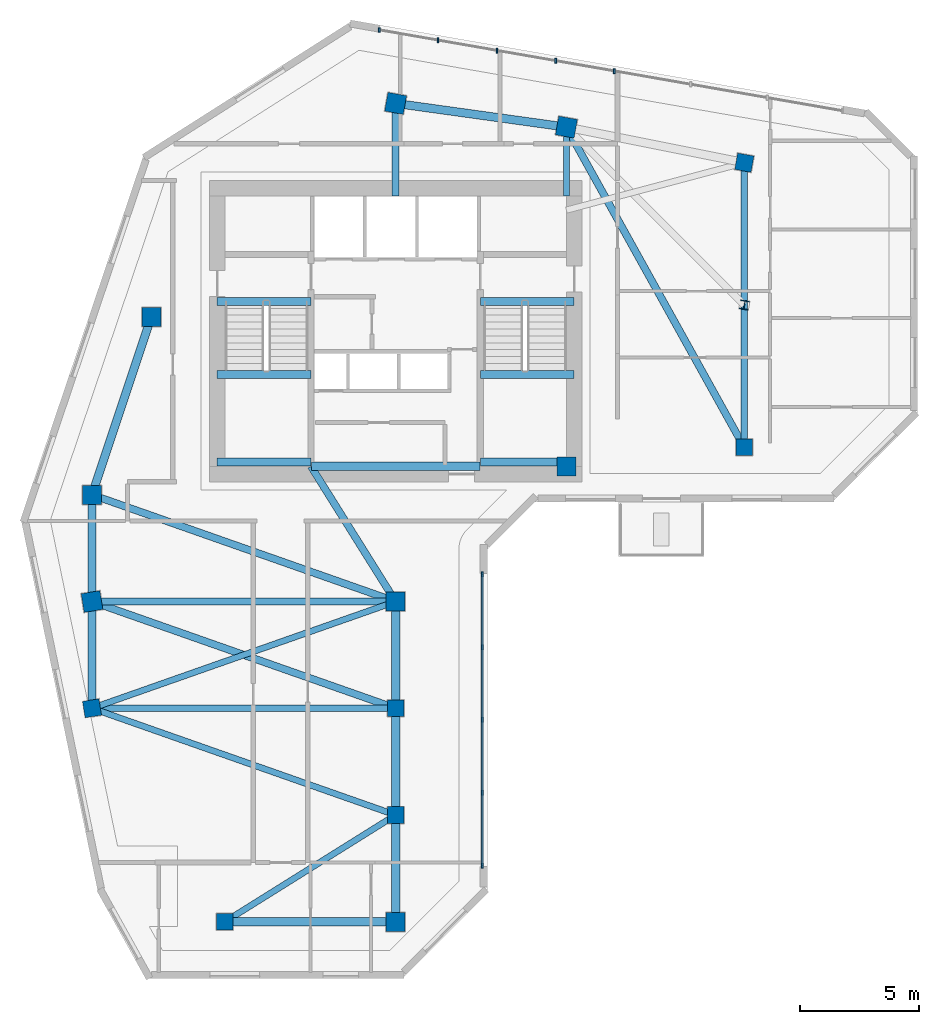
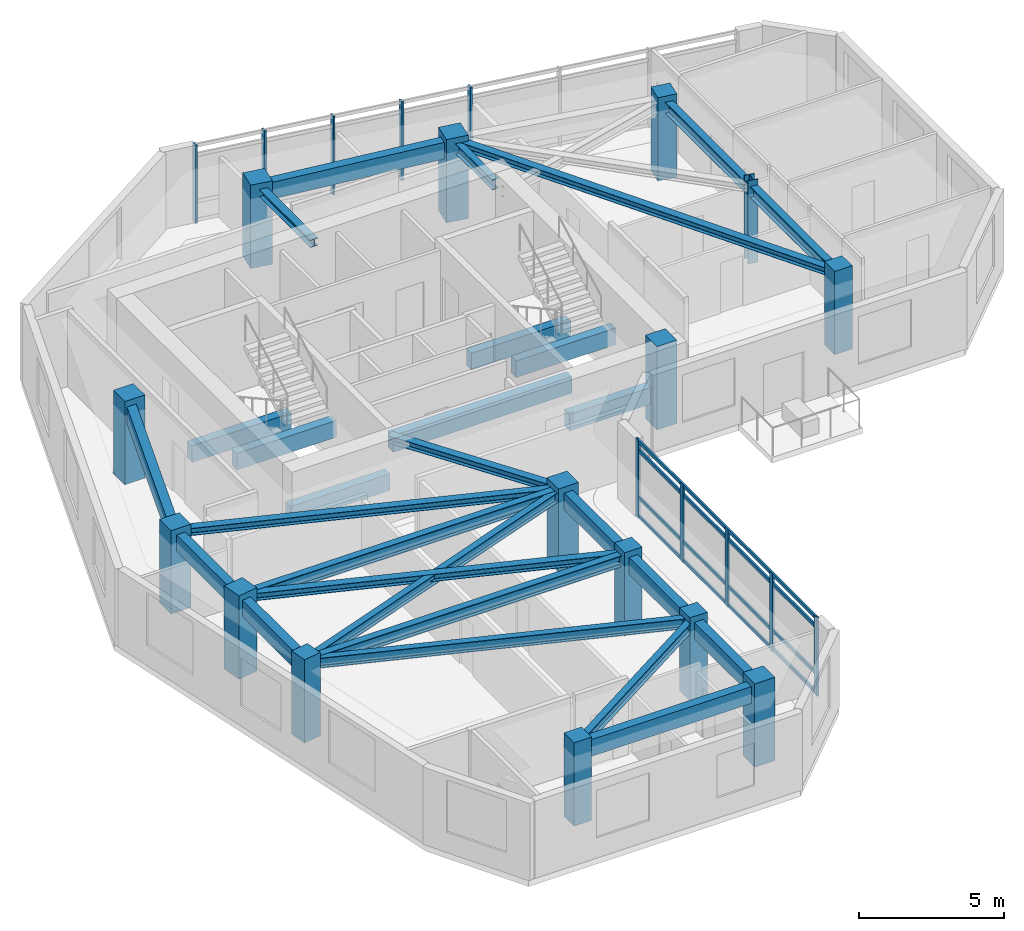
# One storey, part 1 of 9: 27 beams, 15 columns, 14 members, 2 elements without a shape of their own.
"""IFC4 building model written with IfcOpenShell, lengths in metres."""

from ifc_helpers import new_model, si_unit, direction, frame, origin, origin_2d, place, context, subcontext, project, spatial, rectangle, i_section, extrude, source, transform, mapped, material, material_profile, profile_set, type_object, element, aggregate, save


model = new_model("IFC4")

# Units and contexts
model_context = context("Model", 3, precision=1e-05, world=origin(), true_north=direction((0.0, 1.0)))
body_context = subcontext(model_context, "Body", "Model", "MODEL_VIEW")
ifc_project = project(units=[si_unit("LENGTHUNIT", "METRE"), si_unit("AREAUNIT", "SQUARE_METRE"), si_unit("VOLUMEUNIT", "CUBIC_METRE"), si_unit("PLANEANGLEUNIT", "RADIAN"), si_unit("MASSUNIT", "GRAM", prefix="KILO")], contexts=[model_context])

# Site, building, storey
site_placement = place(None, origin())
site = spatial("IfcSite", under=ifc_project, at=site_placement, CompositionType="ELEMENT")
building_placement = place(site_placement, origin())
building = spatial("IfcBuilding", under=site, at=building_placement, Name="Calvemar Wedge Station Tower", CompositionType="ELEMENT")
storey_placement = place(building_placement, frame((0.0, 0.0, 232.39990234375)))
storey = spatial("IfcBuildingStorey", under=building, at=storey_placement, Name="L59", CompositionType="ELEMENT", Elevation=232.39990234375)

# Columns
ifc_material_1 = material(Name="Concrete C50", Category="concrete")
ifc_material_profile_1 = material_profile(ifc_material_1, rectangle(XDim=0.800048828125, YDim=0.800048828125, at=origin_2d()), Name="RC800x800")
ifc_profile_set_1 = profile_set([ifc_material_profile_1], Name="Concrete C50")
column_type_1 = type_object("IfcColumnType", Name="COL-C6-800", PredefinedType="COLUMN", material=ifc_profile_set_1)
shared_shape_1 = source(origin(), body_context, "Body", "SweptSolid", [
    extrude(rectangle(XDim=0.800048828125, YDim=0.800048828125, at=origin_2d()), origin(), (0.0, 0.0, 1.0), 3.5),
])
for number, where, z_axis, x_axis, name in (
    (1, (11.0, 33.0, 0.0), (0.0, 0.0, 1.0), (1.0, 0.0, 0.0), "Storey L59 Column T-NW1"),
    (2, (13.5, 40.5, 0.0), (0.0, 0.0, 1.0), (1.0, 0.0, 0.0), "Storey L59 Column T-NW2"),
    (3, (23.800048828125, 49.5, 0.0), (0.0, 0.0, 1.0), (0.984195607969, -0.17708474032, 0.0), "Storey L59 Column T-N1"),
    (4, (31.0, 48.5, 0.0), (0.0, 0.0, 1.0), (0.984195607969, -0.17708474032, 0.0), "Storey L59 Column T-N2"),
    (5, (31.0, 34.199951171875, 0.0), (0.0, 0.0, 1.0), (1.0, 0.0, 0.0), "Storey L59 Column T-NL1"),
    (6, (11.0, 28.5, 0.0), (0.0, 0.0, 1.0), (0.158158067254, -0.987413806751, 0.0), "Storey L59 Column T-SW1"),
    (7, (23.800048828125, 28.5, 0.0), (0.0, 0.0, 1.0), (1.0, 0.0, 0.0), "Storey L59 Column T-SE1"),
    (8, (23.800048828125, 15.0, 0.0), (0.0, 0.0, 1.0), (1.0, 0.0, 0.0), "Storey L59 Column T-SE4"),
):
    element("IfcColumn", number, at=place(storey_placement, frame(where, z_axis=z_axis, x_axis=x_axis)), inside=storey, type_object=column_type_1, Name=name, PredefinedType="COLUMN", context=body_context, shape_type="MappedRepresentation", body=[
        mapped(shared_shape_1, transform((0.0, 0.0, 0.0), scale=1.0)),
    ])
ifc_material_profile_2 = material_profile(ifc_material_1, rectangle(XDim=0.699951171875, YDim=0.699951171875, at=origin_2d()), Name="RC700x700")
ifc_profile_set_2 = profile_set([ifc_material_profile_2], Name="Concrete C50")
column_type_2 = type_object("IfcColumnType", Name="COL-C7-700", PredefinedType="COLUMN", material=ifc_profile_set_2)
shared_shape_2 = source(origin(), body_context, "Body", "SweptSolid", [
    extrude(rectangle(XDim=0.699951171875, YDim=0.699951171875, at=origin_2d()), origin(), (0.0, 0.0, 1.0), 3.5),
])
for number, where, z_axis, x_axis, name in (
    (9, (38.5, 47.0, 0.0), (0.0, 0.0, 1.0), (0.984195607969, -0.17708474032, 0.0), "Storey L59 Column T-NU3"),
    (10, (38.5, 35.0, 0.0), (0.0, 0.0, 1.0), (1.0, 0.0, 0.0), "Storey L59 Column T-NL2"),
    (11, (11.0, 24.0, 0.0), (0.0, 0.0, 1.0), (0.158158067254, -0.987413806751, 0.0), "Storey L59 Column T-SW2"),
    (12, (23.800048828125, 24.0, 0.0), (0.0, 0.0, 1.0), (1.0, 0.0, 0.0), "Storey L59 Column T-SE2"),
    (13, (23.800048828125, 19.5, 0.0), (0.0, 0.0, 1.0), (1.0, 0.0, 0.0), "Storey L59 Column T-SE3"),
    (14, (16.60009765625, 15.0, 0.0), (0.0, 0.0, 1.0), (1.0, 0.0, 0.0), "Storey L59 Column T-SM1"),
):
    element("IfcColumn", number, at=place(storey_placement, frame(where, z_axis=z_axis, x_axis=x_axis)), inside=storey, type_object=column_type_2, Name=name, PredefinedType="COLUMN", context=body_context, shape_type="MappedRepresentation", body=[
        mapped(shared_shape_2, transform((0.0, 0.0, 0.0), scale=1.0)),
    ])
ifc_material_2 = material(Name="Structural steel ASTM A572 Grade 50", Category="steel")
ifc_material_profile_3 = material_profile(ifc_material_2, i_section(OverallWidth=0.3740234375, OverallDepth=0.3720703125, WebThickness=0.016357421875, FlangeThickness=0.026123046875, FilletRadius=0.014892578125, at=origin_2d()), Name="W360x196")
ifc_profile_set_3 = profile_set([ifc_material_profile_3], Name="Structural steel ASTM A572 Grade 50")
column_type_3 = type_object("IfcColumnType", Name="COL-STL-W360", PredefinedType="COLUMN", material=ifc_profile_set_3)
shared_shape_3 = source(origin(), body_context, "Body", "SweptSolid", [
    extrude(i_section(OverallWidth=0.3740234375, OverallDepth=0.3720703125, WebThickness=0.016357421875, FlangeThickness=0.026123046875, FilletRadius=0.014892578125, at=origin_2d()), origin(), (0.0, 0.0, 1.0), 3.5),
])
column_placement = place(storey_placement, frame((38.5, 41.0, 0.0), z_axis=(0.0, 0.0, 1.0), x_axis=(0.984195607969, -0.17708474032, 0.0)))
element("IfcColumn", 15, at=column_placement, inside=storey, type_object=column_type_3, Name="Storey L59 Column T-NTIP-B", PredefinedType="COLUMN", context=body_context, shape_type="MappedRepresentation", body=[
    mapped(shared_shape_3, transform((0.0, 0.0, 0.0), scale=1.0)),
])

# Beams
ifc_material_3 = material(Name="Concrete C70", Category="concrete")
ifc_material_profile_4 = material_profile(ifc_material_3, rectangle(XDim=0.35009765625, YDim=0.699951171875, at=origin_2d()), Name="RC350x700")
ifc_profile_set_4 = profile_set([ifc_material_profile_4], Name="Concrete C70")
beam_type_1 = type_object("IfcBeamType", Name="BM-LN1-700", PredefinedType="LINTEL", material=ifc_profile_set_4)
shared_shape_4 = source(origin(), body_context, "Body", "SweptSolid", [
    extrude(rectangle(XDim=0.35009765625, YDim=0.699951171875, at=origin_2d()), origin(), (0.0, 0.0, 1.0), 7.10009765625),
])
beam_1_placement = place(storey_placement, frame((20.25, 34.199951171875, 2.900146484375), z_axis=(1.0, 0.0, 0.0), x_axis=(0.0, 1.0, 0.0)))
element("IfcBeam", 16, at=beam_1_placement, inside=storey, type_object=beam_type_1, Name="Storey L59 Core Coupling Lintel South", PredefinedType="LINTEL", context=body_context, shape_type="MappedRepresentation", body=[
    mapped(shared_shape_4, transform((0.0, 0.0, 0.0), scale=1.0)),
])
ifc_material_profile_5 = material_profile(ifc_material_2, i_section(OverallWidth=0.304931640625, OverallDepth=0.30810546875, WebThickness=0.010009765625, FlangeThickness=0.015380859375, FilletRadius=0.014892578125, at=origin_2d()), Name="W310x97")
ifc_profile_set_5 = profile_set([ifc_material_profile_5], Name="Structural steel ASTM A572 Grade 50")
beam_type_2 = type_object("IfcBeamType", Name="BM-J6-W310", PredefinedType="JOIST", material=ifc_profile_set_5)
shared_shape_5 = source(origin(), body_context, "Body", "SweptSolid", [
    extrude(i_section(OverallWidth=0.304931640625, OverallDepth=0.30810546875, WebThickness=0.010009765625, FlangeThickness=0.015380859375, FilletRadius=0.014892578125, at=origin_2d()), origin(), (0.0, 0.0, 1.0), 15.443359375),
])
beam_2_placement = place(storey_placement, frame((31.0, 48.5, 3.09619140625), z_axis=(0.485642931179, -0.874157276122, 0.0), x_axis=(0.874157276122, 0.485642931179, 0.0)))
element("IfcBeam", 17, at=beam_2_placement, inside=storey, type_object=beam_type_2, Name="Storey L59 Floor Beam T-N2-T-NL2", PredefinedType="JOIST", context=body_context, shape_type="MappedRepresentation", body=[
    mapped(shared_shape_5, transform((0.0, 0.0, 0.0), scale=1.0)),
])
shared_shape_6 = source(origin(), body_context, "Body", "SweptSolid", [
    extrude(i_section(OverallWidth=0.304931640625, OverallDepth=0.30810546875, WebThickness=0.010009765625, FlangeThickness=0.015380859375, FilletRadius=0.014892578125, at=origin_2d()), origin(), (0.0, 0.0, 1.0), 13.568115234375),
])
for number, where, z_axis, x_axis, name in (
    (18, (11.0, 33.0, 3.09619140625), (0.943398221169, -0.331662171939, 0.0), (0.331662171939, 0.943398221169, 0.0), "Storey L59 Floor Beam T-NW1-T-SE1"),
    (19, (11.0, 28.5, 3.09619140625), (0.943398221169, -0.331662171939, 0.0), (0.331662171939, 0.943398221169, 0.0), "Storey L59 Floor Beam T-SW1-T-SE2"),
):
    element("IfcBeam", number, at=place(storey_placement, frame(where, z_axis=z_axis, x_axis=x_axis)), inside=storey, type_object=beam_type_2, Name=name, PredefinedType="JOIST", context=body_context, shape_type="MappedRepresentation", body=[
        mapped(shared_shape_6, transform((0.0, 0.0, 0.0), scale=1.0)),
    ])
ifc_material_profile_6 = material_profile(ifc_material_2, i_section(OverallWidth=0.260986328125, OverallDepth=0.419921875, WebThickness=0.01171875, FlangeThickness=0.019287109375, FilletRadius=0.012939453125, at=origin_2d()), Name="W410x114")
ifc_profile_set_6 = profile_set([ifc_material_profile_6], Name="Structural steel ASTM A572 Grade 50")
beam_type_3 = type_object("IfcBeamType", Name="BM-J2-W410H", PredefinedType="JOIST", material=ifc_profile_set_6)
shared_shape_7 = source(origin(), body_context, "Body", "SweptSolid", [
    extrude(i_section(OverallWidth=0.260986328125, OverallDepth=0.419921875, WebThickness=0.01171875, FlangeThickness=0.019287109375, FilletRadius=0.012939453125, at=origin_2d()), origin(), (0.0, 0.0, 1.0), 13.568115234375),
])
for number, where, z_axis, x_axis, name in (
    (20, (23.800048828125, 28.5, 3.0400390625), (-0.943398221169, -0.331662171939, 0.0), (0.331662171939, -0.943398221169, 0.0), "Storey L59 Floor Beam T-SE1-T-SW2"),
    (21, (11.0, 24.0, 3.0400390625), (0.943398221169, -0.331662171939, 0.0), (0.331662171939, 0.943398221169, 0.0), "Storey L59 Floor Beam T-SW2-T-SE3"),
):
    element("IfcBeam", number, at=place(storey_placement, frame(where, z_axis=z_axis, x_axis=x_axis)), inside=storey, type_object=beam_type_3, Name=name, PredefinedType="JOIST", context=body_context, shape_type="MappedRepresentation", body=[
        mapped(shared_shape_7, transform((0.0, 0.0, 0.0), scale=1.0)),
    ])
shared_shape_8 = source(origin(), body_context, "Body", "SweptSolid", [
    extrude(i_section(OverallWidth=0.260986328125, OverallDepth=0.419921875, WebThickness=0.01171875, FlangeThickness=0.019287109375, FilletRadius=0.012939453125, at=origin_2d()), origin(), (0.0, 0.0, 1.0), 8.490478515625),
])
beam_3_placement = place(storey_placement, frame((23.800048828125, 19.5, 3.0400390625), z_axis=(-0.847996688584, -0.530001524668, 0.0), x_axis=(0.530001524668, -0.847996688584, 0.0)))
element("IfcBeam", 22, at=beam_3_placement, inside=storey, type_object=beam_type_3, Name="Storey L59 Floor Beam T-SE3-T-SM1", PredefinedType="JOIST", context=body_context, shape_type="MappedRepresentation", body=[
    mapped(shared_shape_8, transform((0.0, 0.0, 0.0), scale=1.0)),
])
shared_shape_9 = source(origin(), body_context, "Body", "SweptSolid", [
    extrude(i_section(OverallWidth=0.304931640625, OverallDepth=0.30810546875, WebThickness=0.010009765625, FlangeThickness=0.015380859375, FilletRadius=0.014892578125, at=origin_2d()), origin(), (0.0, 0.0, 1.0), 3.89990234375),
])
beam_4_placement = place(storey_placement, frame((23.800048828125, 45.60009765625, 3.09619140625), z_axis=(0.0, 1.0, 0.0), x_axis=(-1.0, 0.0, 0.0)))
element("IfcBeam", 23, at=beam_4_placement, inside=storey, type_object=beam_type_2, Name="Storey L59 Core-to-Column Joist CJ-N1", PredefinedType="JOIST", context=body_context, shape_type="MappedRepresentation", body=[
    mapped(shared_shape_9, transform((0.0, 0.0, 0.0), scale=1.0)),
])
shared_shape_10 = source(origin(), body_context, "Body", "SweptSolid", [
    extrude(i_section(OverallWidth=0.260986328125, OverallDepth=0.419921875, WebThickness=0.01171875, FlangeThickness=0.019287109375, FilletRadius=0.012939453125, at=origin_2d()), origin(), (0.0, 0.0, 1.0), 2.89990234375),
])
beam_5_placement = place(storey_placement, frame((31.0, 45.60009765625, 3.0400390625), z_axis=(0.0, 1.0, 0.0), x_axis=(-1.0, 0.0, 0.0)))
element("IfcBeam", 24, at=beam_5_placement, inside=storey, type_object=beam_type_3, Name="Storey L59 Core-to-Column Joist CJ-N2", PredefinedType="JOIST", context=body_context, shape_type="MappedRepresentation", body=[
    mapped(shared_shape_10, transform((0.0, 0.0, 0.0), scale=1.0)),
])
shared_shape_11 = source(origin(), body_context, "Body", "SweptSolid", [
    extrude(i_section(OverallWidth=0.304931640625, OverallDepth=0.30810546875, WebThickness=0.010009765625, FlangeThickness=0.015380859375, FilletRadius=0.014892578125, at=origin_2d()), origin(), (0.0, 0.0, 1.0), 6.7255859375),
])
beam_6_placement = place(storey_placement, frame((20.22998046875, 34.199951171875, 3.09619140625), z_axis=(0.530811158438, -0.847490126242, 0.0), x_axis=(0.847490126242, 0.530811158438, 0.0)))
element("IfcBeam", 25, at=beam_6_placement, inside=storey, type_object=beam_type_2, Name="Storey L59 Core-to-Column Joist CJ-S2", PredefinedType="JOIST", context=body_context, shape_type="MappedRepresentation", body=[
    mapped(shared_shape_11, transform((0.0, 0.0, 0.0), scale=1.0)),
])
shared_shape_12 = source(origin(), body_context, "Body", "SweptSolid", [
    extrude(rectangle(XDim=0.35009765625, YDim=0.699951171875, at=origin_2d()), origin(), (0.0, 0.0, 1.0), 3.955078125),
])
for number, where, z_axis, x_axis, name in (
    (26, (16.27490234375, 41.14990234375, -0.349853515625), (1.0, 0.0, 0.0), (0.0, 1.0, 0.0), "Storey L59 Stair ST-C1 Landing Trimmer Beam"),
    (27, (16.27490234375, 34.3798828125, 1.2001953125), (1.0, 0.0, 0.0), (0.0, 1.0, 0.0), "Storey L59 Stair ST-C1 Half-Landing Beam 1A"),
    (28, (16.27490234375, 38.070068359375, 1.2001953125), (1.0, 0.0, 0.0), (0.0, 1.0, 0.0), "Storey L59 Stair ST-C1 Half-Landing Beam 1B"),
):
    element("IfcBeam", number, at=place(storey_placement, frame(where, z_axis=z_axis, x_axis=x_axis)), inside=storey, type_object=beam_type_1, Name=name, PredefinedType="LINTEL", context=body_context, shape_type="MappedRepresentation", body=[
        mapped(shared_shape_12, transform((0.0, 0.0, 0.0), scale=1.0)),
    ])
shared_shape_13 = source(origin(), body_context, "Body", "SweptSolid", [
    extrude(rectangle(XDim=0.35009765625, YDim=0.699951171875, at=origin_2d()), origin(), (0.0, 0.0, 1.0), 3.954833984375),
])
for number, where, z_axis, x_axis, name in (
    (29, (27.3701171875, 41.14990234375, -0.349853515625), (1.0, 0.0, 0.0), (0.0, 1.0, 0.0), "Storey L59 Stair ST-C2 Landing Trimmer Beam"),
    (30, (27.3701171875, 34.3798828125, 1.2001953125), (1.0, 0.0, 0.0), (0.0, 1.0, 0.0), "Storey L59 Stair ST-C2 Half-Landing Beam 1A"),
    (31, (27.3701171875, 38.070068359375, 1.2001953125), (1.0, 0.0, 0.0), (0.0, 1.0, 0.0), "Storey L59 Stair ST-C2 Half-Landing Beam 1B"),
):
    element("IfcBeam", number, at=place(storey_placement, frame(where, z_axis=z_axis, x_axis=x_axis)), inside=storey, type_object=beam_type_1, Name=name, PredefinedType="LINTEL", context=body_context, shape_type="MappedRepresentation", body=[
        mapped(shared_shape_13, transform((0.0, 0.0, 0.0), scale=1.0)),
    ])
ifc_material_profile_7 = material_profile(ifc_material_1, rectangle(XDim=0.35009765625, YDim=0.699951171875, at=origin_2d()), Name="RC350x700")
ifc_profile_set_7 = profile_set([ifc_material_profile_7], Name="Concrete C50")
beam_type_4 = type_object("IfcBeamType", Name="BM-SP2-700", PredefinedType="SPANDREL", material=ifc_profile_set_7)
shared_shape_14 = source(origin(), body_context, "Body", "SweptSolid", [
    extrude(rectangle(XDim=0.35009765625, YDim=0.699951171875, at=origin_2d()), origin(), (0.0, 0.0, 1.0), 7.90576171875),
])
beam_7_placement = place(storey_placement, frame((11.0, 33.0, 2.900146484375), z_axis=(0.316227766017, 0.948683298051, 0.0), x_axis=(-0.948683298051, 0.316227766017, 0.0)))
element("IfcBeam", 32, at=beam_7_placement, inside=storey, type_object=beam_type_4, Name="Storey L59 Spandrel T-NW1-T-NW2", PredefinedType="SPANDREL", context=body_context, shape_type="MappedRepresentation", body=[
    mapped(shared_shape_14, transform((0.0, 0.0, 0.0), scale=1.0)),
])
shared_shape_15 = source(origin(), body_context, "Body", "SweptSolid", [
    extrude(rectangle(XDim=0.35009765625, YDim=0.699951171875, at=origin_2d()), origin(), (0.0, 0.0, 1.0), 7.26904296875),
])
beam_8_placement = place(storey_placement, frame((23.800048828125, 49.5, 2.900146484375), z_axis=(0.990492146053, -0.13756928657, 0.0), x_axis=(0.13756928657, 0.990492146053, 0.0)))
element("IfcBeam", 33, at=beam_8_placement, inside=storey, type_object=beam_type_4, Name="Storey L59 Spandrel T-N1-T-N2", PredefinedType="SPANDREL", context=body_context, shape_type="MappedRepresentation", body=[
    mapped(shared_shape_15, transform((0.0, 0.0, 0.0), scale=1.0)),
])
ifc_material_profile_8 = material_profile(ifc_material_2, i_section(OverallWidth=0.283935546875, OverallDepth=0.47607421875, WebThickness=0.014892578125, FlangeThickness=0.02392578125, FilletRadius=0.014892578125, at=origin_2d()), Name="W460x158")
ifc_profile_set_8 = profile_set([ifc_material_profile_8], Name="Structural steel ASTM A572 Grade 50")
beam_type_5 = type_object("IfcBeamType", Name="BM-SB5-W460H", PredefinedType="BEAM", material=ifc_profile_set_8)
shared_shape_16 = source(origin(), body_context, "Body", "SweptSolid", [
    extrude(i_section(OverallWidth=0.283935546875, OverallDepth=0.47607421875, WebThickness=0.014892578125, FlangeThickness=0.02392578125, FilletRadius=0.014892578125, at=origin_2d()), origin(), (0.0, 0.0, 1.0), 12.0),
])
beam_9_placement = place(storey_placement, frame((38.5, 47.0, 3.01220703125), z_axis=(0.0, -1.0, 0.0), x_axis=(1.0, 0.0, 0.0)))
element("IfcBeam", 34, at=beam_9_placement, inside=storey, type_object=beam_type_5, Name="Storey L59 Floor Beam T-NU3-T-NL2", PredefinedType="BEAM", context=body_context, shape_type="MappedRepresentation", body=[
    mapped(shared_shape_16, transform((0.0, 0.0, 0.0), scale=1.0)),
])
shared_shape_17 = source(origin(), body_context, "Body", "SweptSolid", [
    extrude(rectangle(XDim=0.35009765625, YDim=0.699951171875, at=origin_2d()), origin(), (0.0, 0.0, 1.0), 4.5),
])
for number, where, z_axis, x_axis, name in (
    (35, (11.0, 33.0, 2.900146484375), (0.0, -1.0, 0.0), (1.0, 0.0, 0.0), "Storey L59 Spandrel T-NW1-T-SW1"),
    (36, (11.0, 28.5, 2.900146484375), (0.0, -1.0, 0.0), (1.0, 0.0, 0.0), "Storey L59 Spandrel T-SW1-T-SW2"),
    (37, (23.800048828125, 28.5, 2.900146484375), (0.0, -1.0, 0.0), (1.0, 0.0, 0.0), "Storey L59 Spandrel T-SE1-T-SE2"),
    (38, (23.800048828125, 24.0, 2.900146484375), (0.0, -1.0, 0.0), (1.0, 0.0, 0.0), "Storey L59 Spandrel T-SE2-T-SE3"),
    (39, (23.800048828125, 19.5, 2.900146484375), (0.0, -1.0, 0.0), (1.0, 0.0, 0.0), "Storey L59 Spandrel T-SE3-T-SE4"),
):
    element("IfcBeam", number, at=place(storey_placement, frame(where, z_axis=z_axis, x_axis=x_axis)), inside=storey, type_object=beam_type_4, Name=name, PredefinedType="SPANDREL", context=body_context, shape_type="MappedRepresentation", body=[
        mapped(shared_shape_17, transform((0.0, 0.0, 0.0), scale=1.0)),
    ])
shared_shape_18 = source(origin(), body_context, "Body", "SweptSolid", [
    extrude(rectangle(XDim=0.35009765625, YDim=0.699951171875, at=origin_2d()), origin(), (0.0, 0.0, 1.0), 7.199951171875),
])
beam_10_placement = place(storey_placement, frame((16.60009765625, 15.0, 2.900146484375), z_axis=(1.0, 0.0, 0.0), x_axis=(0.0, 1.0, 0.0)))
element("IfcBeam", 40, at=beam_10_placement, inside=storey, type_object=beam_type_4, Name="Storey L59 Spandrel T-SM1-T-SE4", PredefinedType="SPANDREL", context=body_context, shape_type="MappedRepresentation", body=[
    mapped(shared_shape_18, transform((0.0, 0.0, 0.0), scale=1.0)),
])
shared_shape_19 = source(origin(), body_context, "Body", "SweptSolid", [
    extrude(i_section(OverallWidth=0.283935546875, OverallDepth=0.47607421875, WebThickness=0.014892578125, FlangeThickness=0.02392578125, FilletRadius=0.014892578125, at=origin_2d()), origin(), (0.0, 0.0, 1.0), 12.800048828125),
])
for number, where, z_axis, x_axis, name in (
    (41, (11.0, 28.5, 3.01220703125), (1.0, 0.0, 0.0), (0.0, 1.0, 0.0), "Storey L59 Floor Beam T-SW1-T-SE1"),
    (42, (11.0, 24.0, 3.01220703125), (1.0, 0.0, 0.0), (0.0, 1.0, 0.0), "Storey L59 Floor Beam T-SW2-T-SE2"),
):
    element("IfcBeam", number, at=place(storey_placement, frame(where, z_axis=z_axis, x_axis=x_axis)), inside=storey, type_object=beam_type_5, Name=name, PredefinedType="BEAM", context=body_context, shape_type="MappedRepresentation", body=[
        mapped(shared_shape_19, transform((0.0, 0.0, 0.0), scale=1.0)),
    ])

# Curtain wall, members
ifc_material_4 = material(Name="Anodised aluminium 6063-T6", Category="aluminium")
curtain_wall_type = type_object("IfcCurtainWallType", Name="CW3", PredefinedType="NOTDEFINED", material=ifc_material_4)
curtain_wall_1_placement = place(storey_placement, origin())
curtain_wall_1 = element("IfcCurtainWall", 43, at=curtain_wall_1_placement, inside=storey, type_object=curtain_wall_type, Name="Storey L59 CW3 Recessed Unitised Curtain Wall 4", PredefinedType="NOTDEFINED")
ifc_material_profile_9 = material_profile(ifc_material_4, rectangle(XDim=0.074951171875, YDim=0.2099609375, at=origin_2d()), Name="AL-MUL-75x210")
ifc_profile_set_9 = profile_set([ifc_material_profile_9], Name="Anodised aluminium 6063-T6")
member_type_1 = type_object("IfcMemberType", Name="CW3-MUL", PredefinedType="MULLION", material=ifc_profile_set_9)
shared_shape_20 = source(origin(), body_context, "Body", "SweptSolid", [
    extrude(rectangle(XDim=0.074951171875, YDim=0.2099609375, at=origin_2d()), origin(), (0.0, 0.0, 1.0), 3.2998046875),
])
member_1_placement = place(storey_placement, frame((27.4541015625, 17.362060546875, -0.0498046875), z_axis=(0.0, 0.0, 1.0), x_axis=(1.0, 0.0, 0.0)))
member_1 = element("IfcMember", 44, at=member_1_placement, type_object=member_type_1, Name="CW3 mullion 1", PredefinedType="MULLION", context=body_context, shape_type="MappedRepresentation", body=[
    mapped(shared_shape_20, transform((0.0, 0.0, 0.0), scale=1.0)),
])
member_2_placement = place(storey_placement, frame((27.4541015625, 20.43505859375, -0.0498046875), z_axis=(0.0, 0.0, 1.0), x_axis=(1.0, 0.0, 0.0)))
member_2 = element("IfcMember", 45, at=member_2_placement, type_object=member_type_1, Name="CW3 mullion 2", PredefinedType="MULLION", context=body_context, shape_type="MappedRepresentation", body=[
    mapped(shared_shape_20, transform((0.0, 0.0, 0.0), scale=1.0)),
])
member_3_placement = place(storey_placement, frame((27.4541015625, 23.508056640625, -0.0498046875), z_axis=(0.0, 0.0, 1.0), x_axis=(1.0, 0.0, 0.0)))
member_3 = element("IfcMember", 46, at=member_3_placement, type_object=member_type_1, Name="CW3 mullion 3", PredefinedType="MULLION", context=body_context, shape_type="MappedRepresentation", body=[
    mapped(shared_shape_20, transform((0.0, 0.0, 0.0), scale=1.0)),
])
member_4_placement = place(storey_placement, frame((27.4541015625, 26.5810546875, -0.0498046875), z_axis=(0.0, 0.0, 1.0), x_axis=(1.0, 0.0, 0.0)))
member_4 = element("IfcMember", 47, at=member_4_placement, type_object=member_type_1, Name="CW3 mullion 4", PredefinedType="MULLION", context=body_context, shape_type="MappedRepresentation", body=[
    mapped(shared_shape_20, transform((0.0, 0.0, 0.0), scale=1.0)),
])
member_5_placement = place(storey_placement, frame((27.4541015625, 29.654052734375, -0.0498046875), z_axis=(0.0, 0.0, 1.0), x_axis=(1.0, 0.0, 0.0)))
member_5 = element("IfcMember", 48, at=member_5_placement, type_object=member_type_1, Name="CW3 mullion 5", PredefinedType="MULLION", context=body_context, shape_type="MappedRepresentation", body=[
    mapped(shared_shape_20, transform((0.0, 0.0, 0.0), scale=1.0)),
])

curtain_wall_2_placement = place(storey_placement, origin())
curtain_wall_2 = element("IfcCurtainWall", 49, at=curtain_wall_2_placement, inside=storey, type_object=curtain_wall_type, Name="Storey L59 CW3 Recessed Unitised Curtain Wall 10", PredefinedType="NOTDEFINED")
member_6_placement = place(storey_placement, frame((33.021484375, 50.861572265625, -0.0498046875), z_axis=(0.0, 0.0, 1.0), x_axis=(1.0, 0.0, 0.0)))
member_6 = element("IfcMember", 50, at=member_6_placement, type_object=member_type_1, Name="CW3 mullion 4", PredefinedType="MULLION", context=body_context, shape_type="MappedRepresentation", body=[
    mapped(shared_shape_20, transform((0.0, 0.0, 0.0), scale=1.0)),
])
member_7_placement = place(storey_placement, frame((30.54638671875, 51.2939453125, -0.0498046875), z_axis=(0.0, 0.0, 1.0), x_axis=(1.0, 0.0, 0.0)))
member_7 = element("IfcMember", 51, at=member_7_placement, type_object=member_type_1, Name="CW3 mullion 5", PredefinedType="MULLION", context=body_context, shape_type="MappedRepresentation", body=[
    mapped(shared_shape_20, transform((0.0, 0.0, 0.0), scale=1.0)),
])
member_8_placement = place(storey_placement, frame((28.071533203125, 51.726318359375, -0.0498046875), z_axis=(0.0, 0.0, 1.0), x_axis=(1.0, 0.0, 0.0)))
member_8 = element("IfcMember", 52, at=member_8_placement, type_object=member_type_1, Name="CW3 mullion 6", PredefinedType="MULLION", context=body_context, shape_type="MappedRepresentation", body=[
    mapped(shared_shape_20, transform((0.0, 0.0, 0.0), scale=1.0)),
])
member_9_placement = place(storey_placement, frame((25.588134765625, 52.159912109375, -0.0498046875), z_axis=(0.0, 0.0, 1.0), x_axis=(1.0, 0.0, 0.0)))
member_9 = element("IfcMember", 53, at=member_9_placement, type_object=member_type_1, Name="CW3 mullion 7", PredefinedType="MULLION", context=body_context, shape_type="MappedRepresentation", body=[
    mapped(shared_shape_20, transform((0.0, 0.0, 0.0), scale=1.0)),
])
member_10_placement = place(storey_placement, frame((23.104736328125, 52.59375, -0.0498046875), z_axis=(0.0, 0.0, 1.0), x_axis=(1.0, 0.0, 0.0)))
member_10 = element("IfcMember", 54, at=member_10_placement, type_object=member_type_1, Name="CW3 mullion 8", PredefinedType="MULLION", context=body_context, shape_type="MappedRepresentation", body=[
    mapped(shared_shape_20, transform((0.0, 0.0, 0.0), scale=1.0)),
])
aggregate(curtain_wall_2, [member_6, member_7, member_8, member_9, member_10])

# Member
ifc_material_profile_10 = material_profile(ifc_material_4, rectangle(XDim=0.074951171875, YDim=0.14501953125, at=origin_2d()), Name="AL-TRN-75x145")
ifc_profile_set_10 = profile_set([ifc_material_profile_10], Name="Anodised aluminium 6063-T6")
member_type_2 = type_object("IfcMemberType", Name="CW3-TRN", PredefinedType="USERDEFINED", material=ifc_profile_set_10)
shared_shape_21 = source(origin(), body_context, "Body", "SweptSolid", [
    extrude(rectangle(XDim=0.074951171875, YDim=0.14501953125, at=origin_2d()), origin(), (0.0, 0.0, 1.0), 12.2919921875),
])
member_11_placement = place(storey_placement, frame((27.4541015625, 17.362060546875, 0.06005859375), z_axis=(0.0, 1.0, 0.0), x_axis=(-1.0, 0.0, 0.0)))
member_11 = element("IfcMember", 55, at=member_11_placement, type_object=member_type_2, Name="CW3 transom 1", ObjectType="TRANSOM", PredefinedType="USERDEFINED", context=body_context, shape_type="MappedRepresentation", body=[
    mapped(shared_shape_21, transform((0.0, 0.0, 0.0), scale=1.0)),
])

member_12_placement = place(storey_placement, frame((27.4541015625, 17.362060546875, 0.85009765625), z_axis=(0.0, 1.0, 0.0), x_axis=(-1.0, 0.0, 0.0)))
member_12 = element("IfcMember", 56, at=member_12_placement, type_object=member_type_2, Name="CW3 transom 2", ObjectType="TRANSOM", PredefinedType="USERDEFINED", context=body_context, shape_type="MappedRepresentation", body=[
    mapped(shared_shape_21, transform((0.0, 0.0, 0.0), scale=1.0)),
])

member_13_placement = place(storey_placement, frame((27.4541015625, 17.362060546875, 2.800048828125), z_axis=(0.0, 1.0, 0.0), x_axis=(-1.0, 0.0, 0.0)))
member_13 = element("IfcMember", 57, at=member_13_placement, type_object=member_type_2, Name="CW3 transom 3", ObjectType="TRANSOM", PredefinedType="USERDEFINED", context=body_context, shape_type="MappedRepresentation", body=[
    mapped(shared_shape_21, transform((0.0, 0.0, 0.0), scale=1.0)),
])

member_14_placement = place(storey_placement, frame((27.4541015625, 17.362060546875, 3.190185546875), z_axis=(0.0, 1.0, 0.0), x_axis=(-1.0, 0.0, 0.0)))
member_14 = element("IfcMember", 58, at=member_14_placement, type_object=member_type_2, Name="CW3 transom 4", ObjectType="TRANSOM", PredefinedType="USERDEFINED", context=body_context, shape_type="MappedRepresentation", body=[
    mapped(shared_shape_21, transform((0.0, 0.0, 0.0), scale=1.0)),
])

aggregate(curtain_wall_1, [member_1, member_2, member_3, member_4, member_5, member_11, member_12, member_13, member_14])

save(model, "model.ifc")
